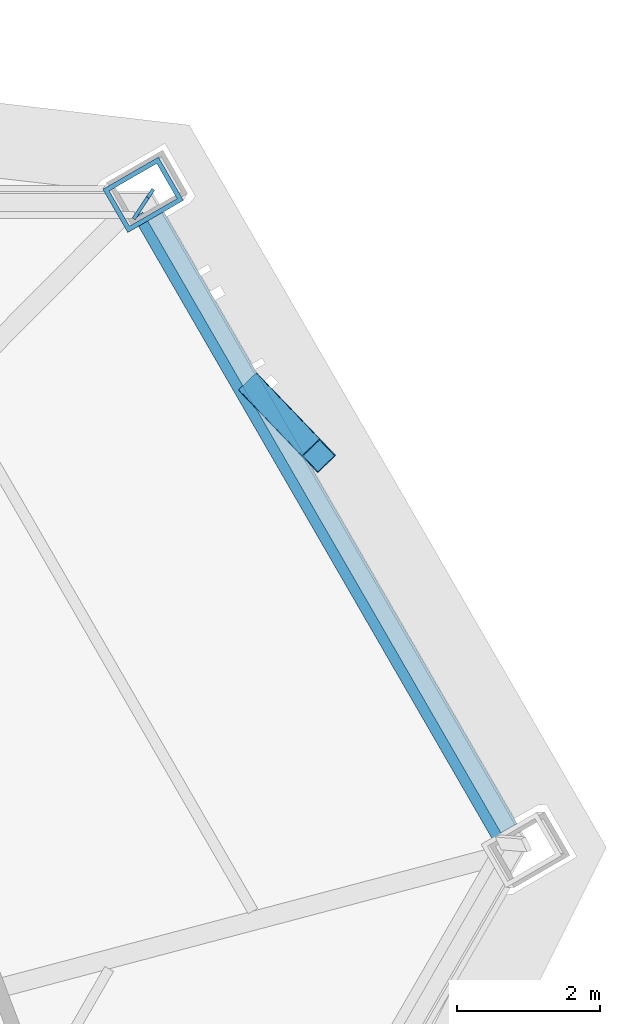
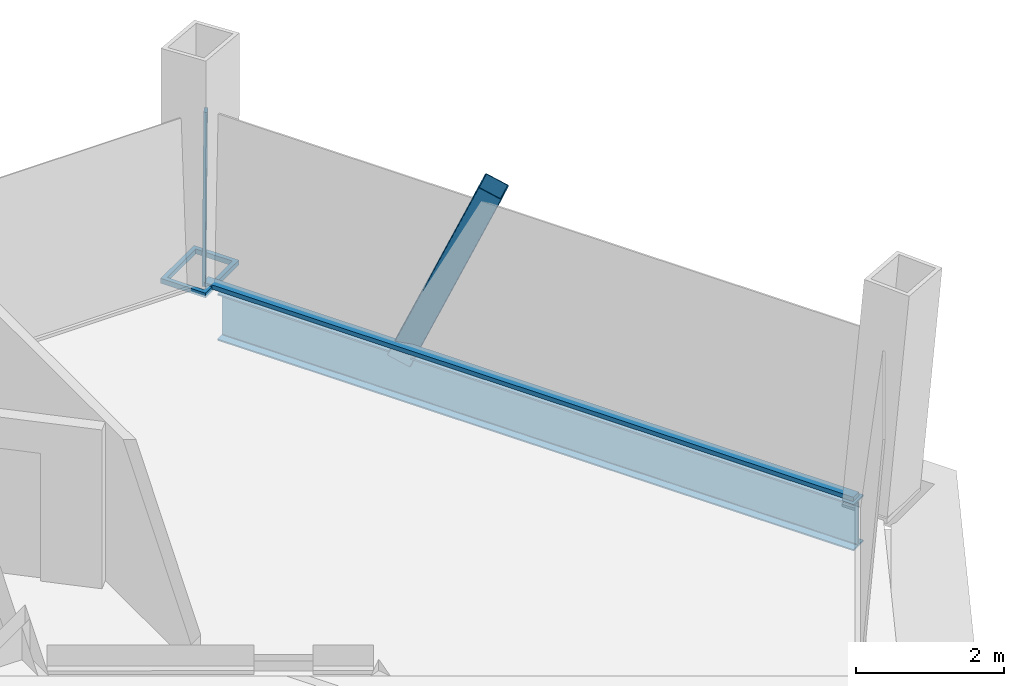
# One storey, part 6 of 15: 4 members, 1 beam, 2 elements without a shape of their own.
"""IFC4 building model written with IfcOpenShell, lengths in metres."""

from ifc_helpers import new_model, si_unit, direction, frame, origin, origin_2d, place, context, subcontext, project, spatial, rectangle, hollow_rectangle, i_section, extrude, material, material_profile, profile_set, type_object, element, aggregate, save


model = new_model("IFC4")

# Units and contexts
model_context = context("Model", 3, precision=1e-05, world=origin(), true_north=direction((0.0, 1.0)))
body_context = subcontext(model_context, "Body", "Model", "MODEL_VIEW")
ifc_project = project(units=[si_unit("LENGTHUNIT", "METRE"), si_unit("AREAUNIT", "SQUARE_METRE"), si_unit("VOLUMEUNIT", "CUBIC_METRE"), si_unit("PLANEANGLEUNIT", "RADIAN"), si_unit("MASSUNIT", "GRAM", prefix="KILO")], contexts=[model_context])

# Site, building, storey
site_placement = place(None, origin())
site = spatial("IfcSite", under=ifc_project, at=site_placement, CompositionType="ELEMENT")
building_placement = place(site_placement, origin())
building = spatial("IfcBuilding", under=site, at=building_placement, Name="Verrane Prism Tower", CompositionType="ELEMENT")
storey_placement = place(building_placement, frame((0.0, 0.0, 44.0)))
storey = spatial("IfcBuildingStorey", under=building, at=storey_placement, Name="L08", CompositionType="ELEMENT", Elevation=44.0)

# Member
ifc_material_1 = material(Name="Steel A500 Grade C", Category="steel")
ifc_material_profile_1 = material_profile(ifc_material_1, hollow_rectangle(XDim=0.355712890625, YDim=0.355712890625, WallThickness=0.0126953125, InnerFilletRadius=0.00634765625, OuterFilletRadius=0.01904296875, at=origin_2d()), Name="HSS14x14x1/2")
ifc_profile_set_1 = profile_set([ifc_material_profile_1], Name="Steel A500 Grade C")
member_type_1 = type_object("IfcMemberType", Name="Chamfer brace HSS14x14x1/2", PredefinedType="BRACE", material=ifc_profile_set_1)
member_1_placement = place(storey_placement, frame((26.946044921875, 18.0400390625, -0.2451171875), z_axis=(0.271486195866, -0.283524002954, 0.919733322873), x_axis=(0.722273594604, 0.691607442512, 0.0)))
element("IfcMember", 1, at=member_1_placement, inside=storey, type_object=member_type_1, Name="Chamfer brace NE0 L08", PredefinedType="BRACE", context=body_context, shape_type="SweptSolid", body=[
    extrude(hollow_rectangle(XDim=0.355712890625, YDim=0.355712890625, WallThickness=0.0126953125, InnerFilletRadius=0.00634765625, OuterFilletRadius=0.01904296875, at=origin_2d()), origin(), (0.0, 0.0, 1.0), 3.265380859375),
])

# Beam
ifc_material_2 = material(Name="Steel A992", Category="steel")
ifc_material_profile_2 = material_profile(ifc_material_2, i_section(OverallWidth=0.2666015625, OverallDepth=0.76708984375, WebThickness=0.014892578125, FlangeThickness=0.023681640625, FilletRadius=0.0166015625, at=origin_2d()), Name="W30x124")
ifc_profile_set_2 = profile_set([ifc_material_profile_2], Name="Steel A992")
beam_type = type_object("IfcBeamType", Name="Chamfer spandrel beam W30x124", PredefinedType="SPANDREL", material=ifc_profile_set_2)
beam_placement = place(storey_placement, frame((30.4951171875, 11.89306640625, -0.54345703125), z_axis=(-0.500011342071, 0.866018855338, 0.0), x_axis=(-0.866018855338, -0.500011342071, 0.0)))
element("IfcBeam", 2, at=beam_placement, inside=storey, type_object=beam_type, Name="Chamfer spandrel beam L08", PredefinedType="SPANDREL", context=body_context, shape_type="SweptSolid", body=[
    extrude(i_section(OverallWidth=0.2666015625, OverallDepth=0.76708984375, WebThickness=0.014892578125, FlangeThickness=0.023681640625, FilletRadius=0.0166015625, at=origin_2d()), origin(), (0.0, 0.0, 1.0), 9.900146484375),
])

# Member
ifc_material_3 = material(Name="Steel A572 Grade 50", Category="steel")
ifc_material_profile_3 = material_profile(ifc_material_3, hollow_rectangle(XDim=0.699951171875, YDim=0.89990234375, WallThickness=0.06494140625, at=origin_2d()), Name="BOX 900x700x65")
ifc_profile_set_3 = profile_set([ifc_material_profile_3], Name="Steel A572 Grade 50")
member_type_2 = type_object("IfcMemberType", Name="Kink node BOX 900x700x65", PredefinedType="COLLAR", material=ifc_profile_set_3)
member_2_placement = place(storey_placement, frame((25.37109375, 20.771728515625, -0.0400390625), z_axis=(0.0, 0.0, 1.0), x_axis=(0.5, -0.866025403784, 0.0)))
element("IfcMember", 3, at=member_2_placement, inside=storey, type_object=member_type_2, Name="Kink node MC3 L08", PredefinedType="COLLAR", context=body_context, shape_type="SweptSolid", body=[
    extrude(hollow_rectangle(XDim=0.699951171875, YDim=0.89990234375, WallThickness=0.06494140625, at=origin_2d()), origin(), (0.0, 0.0, 1.0), 0.080078125),
])

# Curtain wall, member
ifc_material_4 = material(Name="Aluminium framed insulated glazing", Category="aluminium")
curtain_wall_type_1 = type_object("IfcCurtainWallType", Name="Curtain wall CW-C 4200 module", PredefinedType="NOTDEFINED", material=ifc_material_4)
curtain_wall_1_placement = place(storey_placement, origin())
curtain_wall_1 = element("IfcCurtainWall", 4, at=curtain_wall_1_placement, inside=storey, type_object=curtain_wall_type_1, Name="Glazed curtain wall north face L08", PredefinedType="NOTDEFINED")
ifc_material_5 = material(Name="Aluminium alloy 6063-T6", Category="aluminium")
ifc_material_profile_4 = material_profile(ifc_material_5, rectangle(XDim=0.139892578125, YDim=0.050048828125, at=origin_2d()), Name="Mullion 50x140 aluminium")
ifc_profile_set_4 = profile_set([ifc_material_profile_4], Name="Aluminium alloy 6063-T6")
member_type_3 = type_object("IfcMemberType", Name="Mullion 50x140 aluminium", PredefinedType="MULLION", material=ifc_profile_set_4)
member_3_placement = place(storey_placement, frame((25.276611328125, 20.490966796875, 0.0), z_axis=(0.075257064934, 0.113764984998, 0.990653270507), x_axis=(0.546564356675, 0.826233203387, -0.136404170149)))
member_3 = element("IfcMember", 5, at=member_3_placement, type_object=member_type_3, Name="CW06.2 mullion 1", PredefinedType="MULLION", context=body_context, shape_type="SweptSolid", body=[
    extrude(rectangle(XDim=0.139892578125, YDim=0.050048828125, at=origin_2d()), origin(), (0.0, 0.0, 1.0), 2.637451171875),
])
aggregate(curtain_wall_1, [member_3])

ifc_material_6 = material(Name="Aluminium framed insulated glazing", Category="aluminium")
curtain_wall_type_2 = type_object("IfcCurtainWallType", Name="Curtain wall CW-A 8400 module", PredefinedType="NOTDEFINED", material=ifc_material_6)
curtain_wall_2_placement = place(storey_placement, origin())
curtain_wall_2 = element("IfcCurtainWall", 6, at=curtain_wall_2_placement, inside=storey, type_object=curtain_wall_type_2, Name="Glazed curtain wall north-east corner L08", PredefinedType="NOTDEFINED")
ifc_material_7 = material(Name="Aluminium alloy 6063-T6", Category="aluminium")
ifc_material_profile_5 = material_profile(ifc_material_7, rectangle(XDim=0.14990234375, YDim=0.070068359375, at=origin_2d()), Name="Transom 70x150 aluminium")
ifc_profile_set_5 = profile_set([ifc_material_profile_5], Name="Aluminium alloy 6063-T6")
member_type_4 = type_object("IfcMemberType", Name="Transom 70x150 aluminium", PredefinedType="USERDEFINED", material=ifc_profile_set_5)
member_4_placement = place(storey_placement, frame((30.361572265625, 11.726806640625, 0.034912109375), z_axis=(-0.500005066806, 0.866022478443, 0.0), x_axis=(-0.866022478443, -0.500005066806, 0.0)))
member_4 = element("IfcMember", 7, at=member_4_placement, type_object=member_type_4, Name="CW06.1 transom 1", ObjectType="TRANSOM", PredefinedType="USERDEFINED", context=body_context, shape_type="SweptSolid", body=[
    extrude(rectangle(XDim=0.14990234375, YDim=0.070068359375, at=origin_2d()), origin(), (0.0, 0.0, 1.0), 10.1201171875),
])
aggregate(curtain_wall_2, [member_4])

save(model, "model.ifc")
